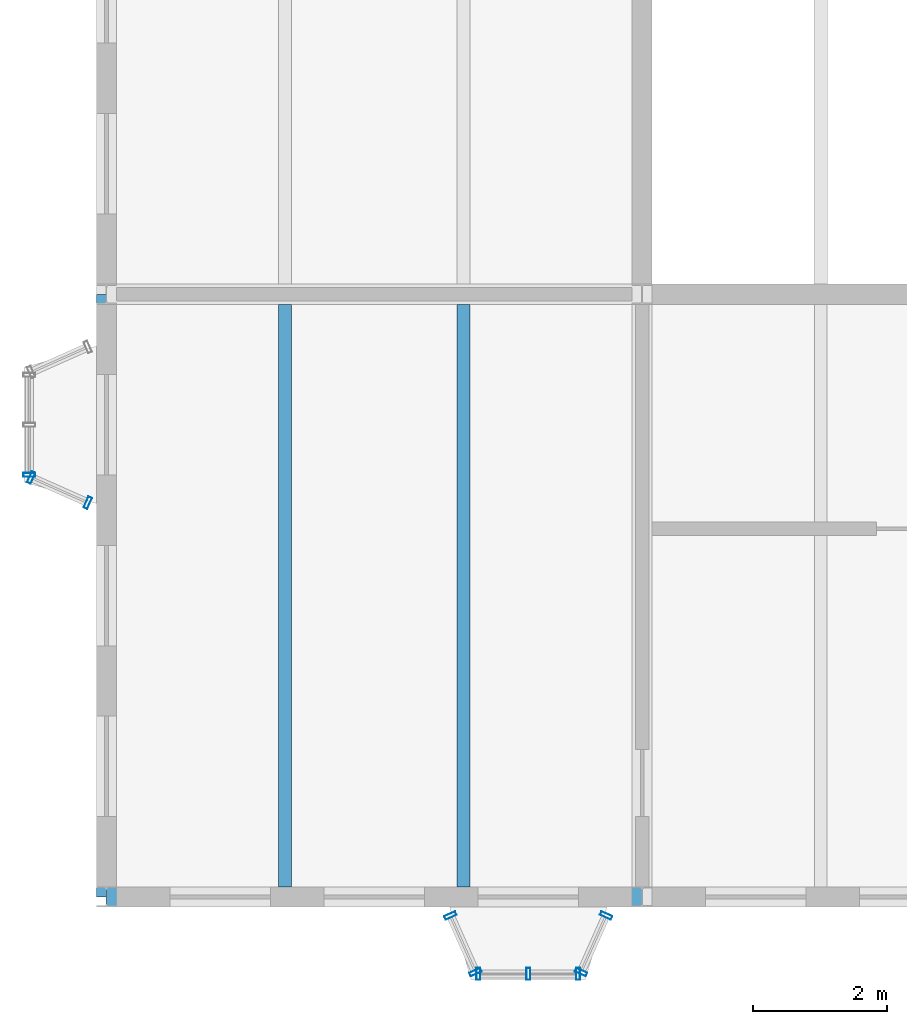
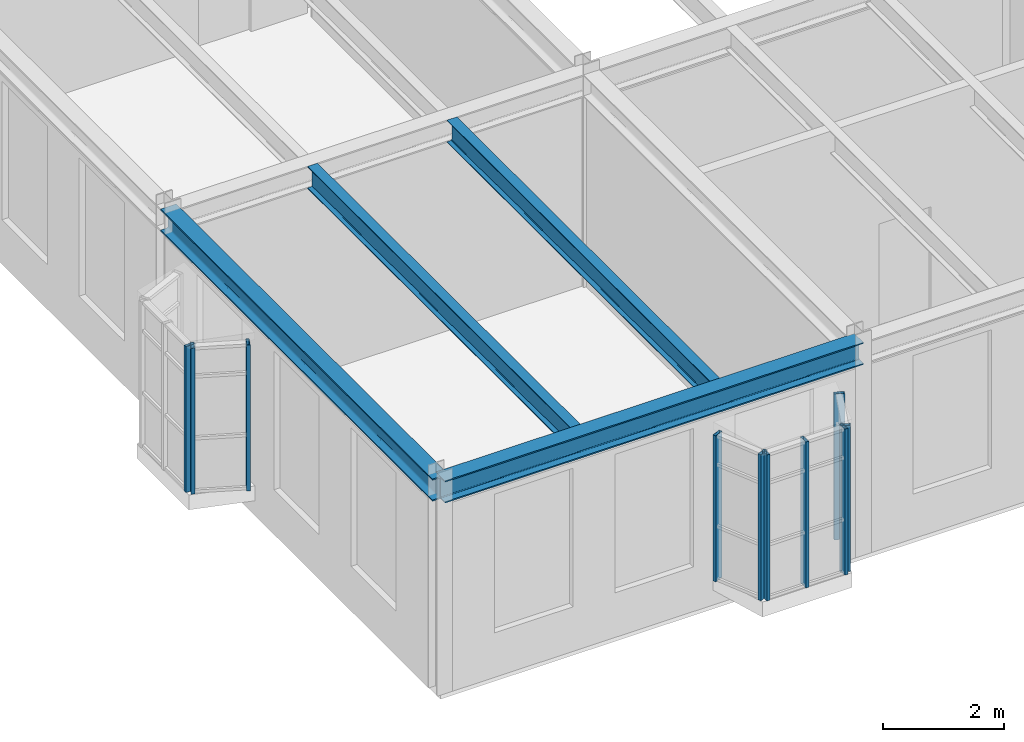
# One storey, part 16 of 153: 10 members, 4 beams, 5 elements without a shape of their own.
"""IFC4 building model written with IfcOpenShell, lengths in metres."""

from ifc_helpers import new_model, si_unit, direction, frame, origin, origin_2d, place, context, subcontext, project, spatial, hollow_rectangle, i_section, extrude, material, material_profile, profile_set, type_object, element, aggregate, save


model = new_model("IFC4")

# Units and contexts
model_context = context("Model", 3, precision=1e-05, world=origin(), true_north=direction((0.0, 1.0)))
body_context = subcontext(model_context, "Body", "Model", "MODEL_VIEW")
ifc_project = project(units=[si_unit("LENGTHUNIT", "METRE"), si_unit("AREAUNIT", "SQUARE_METRE"), si_unit("VOLUMEUNIT", "CUBIC_METRE"), si_unit("PLANEANGLEUNIT", "RADIAN"), si_unit("MASSUNIT", "GRAM", prefix="KILO")], contexts=[model_context])

# Site, building, storey
site_placement = place(None, origin())
site = spatial("IfcSite", under=ifc_project, at=site_placement, CompositionType="ELEMENT")
building_placement = place(site_placement, origin())
building = spatial("IfcBuilding", under=site, at=building_placement, Name="Kallimachos Central Library", CompositionType="ELEMENT")
storey_placement = place(building_placement, frame((0.0, 0.0, 5.39990234375)))
storey = spatial("IfcBuildingStorey", under=building, at=storey_placement, Name="L01", CompositionType="ELEMENT", Elevation=5.39990234375)

# Curtain wall, members
ifc_material_1 = material(Name="Laminated glass in anodised aluminium", Category="aluminium")
curtain_wall_type = type_object("IfcCurtainWallType", Name="Foyer curtain wall", PredefinedType="NOTDEFINED", material=ifc_material_1)
curtain_wall_1_placement = place(storey_placement, origin())
curtain_wall_1 = element("IfcCurtainWall", 1, at=curtain_wall_1_placement, inside=storey, type_object=curtain_wall_type, Name="Tribune bay return west", PredefinedType="NOTDEFINED")
ifc_material_2 = material(Name="Anodised aluminium", Category="aluminium")
ifc_material_profile_1 = material_profile(ifc_material_2, hollow_rectangle(XDim=0.06005859375, YDim=0.179931640625, WallThickness=0.00390625, at=origin_2d()), Name="ALU MULLION 60x180")
ifc_profile_set_1 = profile_set([ifc_material_profile_1], Name="Anodised aluminium")
member_type = type_object("IfcMemberType", Name="ALU MULLION 60x180 mullion", PredefinedType="MULLION", material=ifc_profile_set_1)
member_1_placement = place(storey_placement, frame((11.13720703125, 8.72265625, 0.60009765625), z_axis=(0.0, 0.0, 1.0), x_axis=(0.40613846606, -0.913811548617, 0.0)))
member_1 = element("IfcMember", 2, at=member_1_placement, type_object=member_type, Name="CW mullion 1", PredefinedType="MULLION", context=body_context, shape_type="SweptSolid", body=[
    extrude(hollow_rectangle(XDim=0.06005859375, YDim=0.179931640625, WallThickness=0.00390625, at=origin_2d()), origin(), (0.0, 0.0, 1.0), 2.949951171875),
])
member_2_placement = place(storey_placement, frame((11.5126953125, 7.87744140625, 0.60009765625), z_axis=(0.0, 0.0, 1.0), x_axis=(0.40613846606, -0.913811548617, 0.0)))
member_2 = element("IfcMember", 3, at=member_2_placement, type_object=member_type, Name="CW mullion 2", PredefinedType="MULLION", context=body_context, shape_type="SweptSolid", body=[
    extrude(hollow_rectangle(XDim=0.06005859375, YDim=0.179931640625, WallThickness=0.00390625, at=origin_2d()), origin(), (0.0, 0.0, 1.0), 2.949951171875),
])
aggregate(curtain_wall_1, [member_1, member_2])

curtain_wall_2_placement = place(storey_placement, origin())
curtain_wall_2 = element("IfcCurtainWall", 4, at=curtain_wall_2_placement, inside=storey, type_object=curtain_wall_type, Name="Tribune bay front", PredefinedType="NOTDEFINED")
member_3_placement = place(storey_placement, frame((11.554931640625, 7.85009765625, 0.60009765625), z_axis=(0.0, 0.0, 1.0), x_axis=(1.0, 0.0, 0.0)))
member_3 = element("IfcMember", 5, at=member_3_placement, type_object=member_type, Name="CW mullion 1", PredefinedType="MULLION", context=body_context, shape_type="SweptSolid", body=[
    extrude(hollow_rectangle(XDim=0.06005859375, YDim=0.179931640625, WallThickness=0.00390625, at=origin_2d()), origin(), (0.0, 0.0, 1.0), 2.949951171875),
])
member_4_placement = place(storey_placement, frame((12.300048828125, 7.85009765625, 0.60009765625), z_axis=(0.0, 0.0, 1.0), x_axis=(1.0, 0.0, 0.0)))
member_4 = element("IfcMember", 6, at=member_4_placement, type_object=member_type, Name="CW mullion 2", PredefinedType="MULLION", context=body_context, shape_type="SweptSolid", body=[
    extrude(hollow_rectangle(XDim=0.06005859375, YDim=0.179931640625, WallThickness=0.00390625, at=origin_2d()), origin(), (0.0, 0.0, 1.0), 2.949951171875),
])
member_5_placement = place(storey_placement, frame((13.044921875, 7.85009765625, 0.60009765625), z_axis=(0.0, 0.0, 1.0), x_axis=(1.0, 0.0, 0.0)))
member_5 = element("IfcMember", 7, at=member_5_placement, type_object=member_type, Name="CW mullion 3", PredefinedType="MULLION", context=body_context, shape_type="SweptSolid", body=[
    extrude(hollow_rectangle(XDim=0.06005859375, YDim=0.179931640625, WallThickness=0.00390625, at=origin_2d()), origin(), (0.0, 0.0, 1.0), 2.949951171875),
])
aggregate(curtain_wall_2, [member_3, member_4, member_5])

curtain_wall_3_placement = place(storey_placement, origin())
curtain_wall_3 = element("IfcCurtainWall", 8, at=curtain_wall_3_placement, inside=storey, type_object=curtain_wall_type, Name="Tribune bay return east", PredefinedType="NOTDEFINED")
member_6_placement = place(storey_placement, frame((13.087158203125, 7.87744140625, 0.60009765625), z_axis=(0.0, 0.0, 1.0), x_axis=(0.40613846606, 0.913811548617, 0.0)))
member_6 = element("IfcMember", 9, at=member_6_placement, type_object=member_type, Name="CW mullion 1", PredefinedType="MULLION", context=body_context, shape_type="SweptSolid", body=[
    extrude(hollow_rectangle(XDim=0.06005859375, YDim=0.179931640625, WallThickness=0.00390625, at=origin_2d()), origin(), (0.0, 0.0, 1.0), 2.949951171875),
])
member_7_placement = place(storey_placement, frame((13.462890625, 8.72265625, 0.60009765625), z_axis=(0.0, 0.0, 1.0), x_axis=(0.40613846606, 0.913811548617, 0.0)))
member_7 = element("IfcMember", 10, at=member_7_placement, type_object=member_type, Name="CW mullion 2", PredefinedType="MULLION", context=body_context, shape_type="SweptSolid", body=[
    extrude(hollow_rectangle(XDim=0.06005859375, YDim=0.179931640625, WallThickness=0.00390625, at=origin_2d()), origin(), (0.0, 0.0, 1.0), 2.949951171875),
])
aggregate(curtain_wall_3, [member_6, member_7])

curtain_wall_4_placement = place(storey_placement, origin())
curtain_wall_4 = element("IfcCurtainWall", 11, at=curtain_wall_4_placement, inside=storey, type_object=curtain_wall_type, Name="Tribune bay return west", PredefinedType="NOTDEFINED")
member_8_placement = place(storey_placement, frame((5.72265625, 14.88720703125, 0.60009765625), z_axis=(0.0, 0.0, 1.0), x_axis=(-0.913811548617, 0.40613846606, 0.0)))
member_8 = element("IfcMember", 12, at=member_8_placement, type_object=member_type, Name="CW mullion 1", PredefinedType="MULLION", context=body_context, shape_type="SweptSolid", body=[
    extrude(hollow_rectangle(XDim=0.06005859375, YDim=0.179931640625, WallThickness=0.00390625, at=origin_2d()), origin(), (0.0, 0.0, 1.0), 2.949951171875),
])
member_9_placement = place(storey_placement, frame((4.87744140625, 15.2626953125, 0.60009765625), z_axis=(0.0, 0.0, 1.0), x_axis=(-0.913811548617, 0.40613846606, 0.0)))
member_9 = element("IfcMember", 13, at=member_9_placement, type_object=member_type, Name="CW mullion 2", PredefinedType="MULLION", context=body_context, shape_type="SweptSolid", body=[
    extrude(hollow_rectangle(XDim=0.06005859375, YDim=0.179931640625, WallThickness=0.00390625, at=origin_2d()), origin(), (0.0, 0.0, 1.0), 2.949951171875),
])
aggregate(curtain_wall_4, [member_8, member_9])

# Curtain wall, member
curtain_wall_5_placement = place(storey_placement, origin())
curtain_wall_5 = element("IfcCurtainWall", 14, at=curtain_wall_5_placement, inside=storey, type_object=curtain_wall_type, Name="Tribune bay front", PredefinedType="NOTDEFINED")
member_10_placement = place(storey_placement, frame((4.85009765625, 15.304931640625, 0.60009765625), z_axis=(0.0, 0.0, 1.0), x_axis=(0.0, 1.0, 0.0)))
member_10 = element("IfcMember", 15, at=member_10_placement, type_object=member_type, Name="CW mullion 1", PredefinedType="MULLION", context=body_context, shape_type="SweptSolid", body=[
    extrude(hollow_rectangle(XDim=0.06005859375, YDim=0.179931640625, WallThickness=0.00390625, at=origin_2d()), origin(), (0.0, 0.0, 1.0), 2.949951171875),
])
aggregate(curtain_wall_5, [member_10])

# Beams
ifc_material_3 = material(Name="Steel S355J2", Category="steel")
ifc_material_profile_2 = material_profile(ifc_material_3, i_section(OverallWidth=0.300048828125, OverallDepth=0.449951171875, WebThickness=0.013916015625, FlangeThickness=0.02587890625, FilletRadius=0.027099609375, at=origin_2d()), Name="HEB 450")
ifc_profile_set_2 = profile_set([ifc_material_profile_2], Name="Steel S355J2")
beam_type_1 = type_object("IfcBeamType", Name="HEB 450 beam", PredefinedType="BEAM", material=ifc_profile_set_2)
beam_1_placement = place(storey_placement, frame((6.0, 9.0, 4.0751953125), z_axis=(0.0, 1.0, 0.0), x_axis=(-1.0, 0.0, 0.0)))
element("IfcBeam", 16, at=beam_1_placement, inside=storey, type_object=beam_type_1, Name="V6-BEM-L01-001", PredefinedType="BEAM", context=body_context, shape_type="SweptSolid", body=[
    extrude(i_section(OverallWidth=0.300048828125, OverallDepth=0.449951171875, WebThickness=0.013916015625, FlangeThickness=0.02587890625, FilletRadius=0.027099609375, at=origin_2d()), origin(), (0.0, 0.0, 1.0), 9.0),
])
beam_2_placement = place(storey_placement, frame((6.0, 9.0, 4.0751953125), z_axis=(1.0, 0.0, 0.0), x_axis=(0.0, 1.0, 0.0)))
element("IfcBeam", 17, at=beam_2_placement, inside=storey, type_object=beam_type_1, Name="V6-BEM-L01-002", PredefinedType="BEAM", context=body_context, shape_type="SweptSolid", body=[
    extrude(i_section(OverallWidth=0.300048828125, OverallDepth=0.449951171875, WebThickness=0.013916015625, FlangeThickness=0.02587890625, FilletRadius=0.027099609375, at=origin_2d()), origin(), (0.0, 0.0, 1.0), 8.0),
])
ifc_material_4 = material(Name="Steel S355J2", Category="steel")
ifc_material_profile_3 = material_profile(ifc_material_4, i_section(OverallWidth=0.18994140625, OverallDepth=0.449951171875, WebThickness=0.009521484375, FlangeThickness=0.0146484375, FilletRadius=0.02099609375, at=origin_2d()), Name="IPE 450")
ifc_profile_set_3 = profile_set([ifc_material_profile_3], Name="Steel S355J2")
beam_type_2 = type_object("IfcBeamType", Name="IPE 450 beam", PredefinedType="BEAM", material=ifc_profile_set_3)
for number, where, z_axis, x_axis, name in (
    (18, (8.666748046875, 9.14990234375, 4.0751953125), (0.0, 1.0, 0.0), (-1.0, 0.0, 0.0), "V6-BEM-L01-023"),
    (19, (11.333251953125, 9.14990234375, 4.0751953125), (0.0, 1.0, 0.0), (-1.0, 0.0, 0.0), "V6-BEM-L01-024"),
):
    element("IfcBeam", number, at=place(storey_placement, frame(where, z_axis=z_axis, x_axis=x_axis)), inside=storey, type_object=beam_type_2, Name=name, PredefinedType="BEAM", context=body_context, shape_type="SweptSolid", body=[
        extrude(i_section(OverallWidth=0.18994140625, OverallDepth=0.449951171875, WebThickness=0.009521484375, FlangeThickness=0.0146484375, FilletRadius=0.02099609375, at=origin_2d()), origin(), (0.0, 0.0, 1.0), 8.7001953125),
    ])

save(model, "model.ifc")
